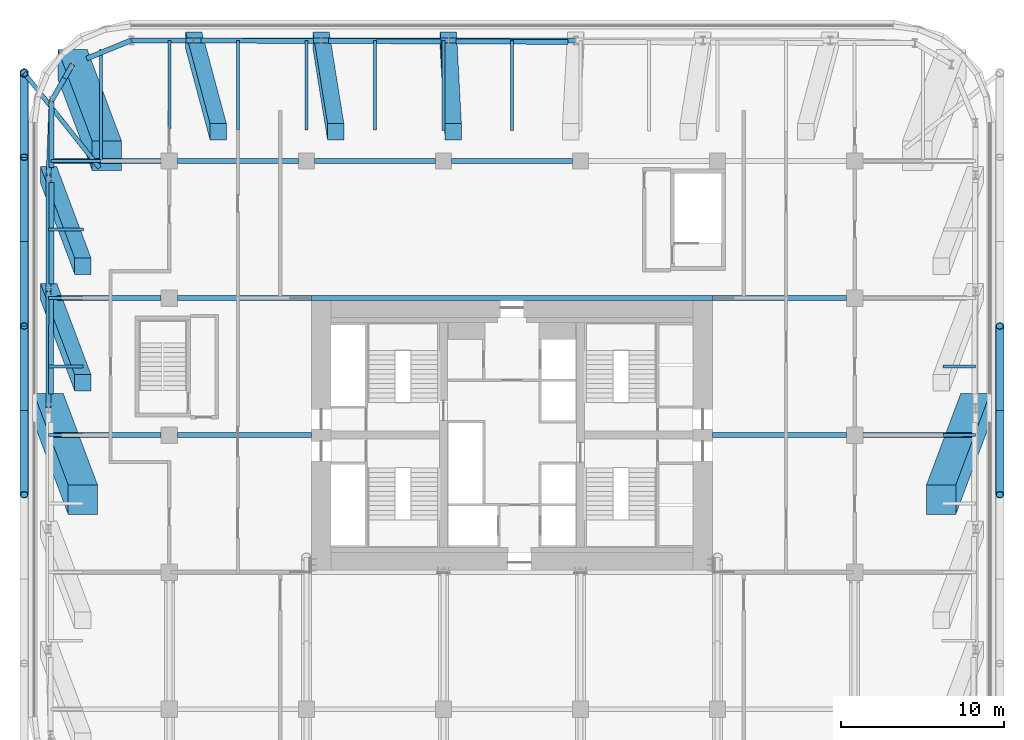
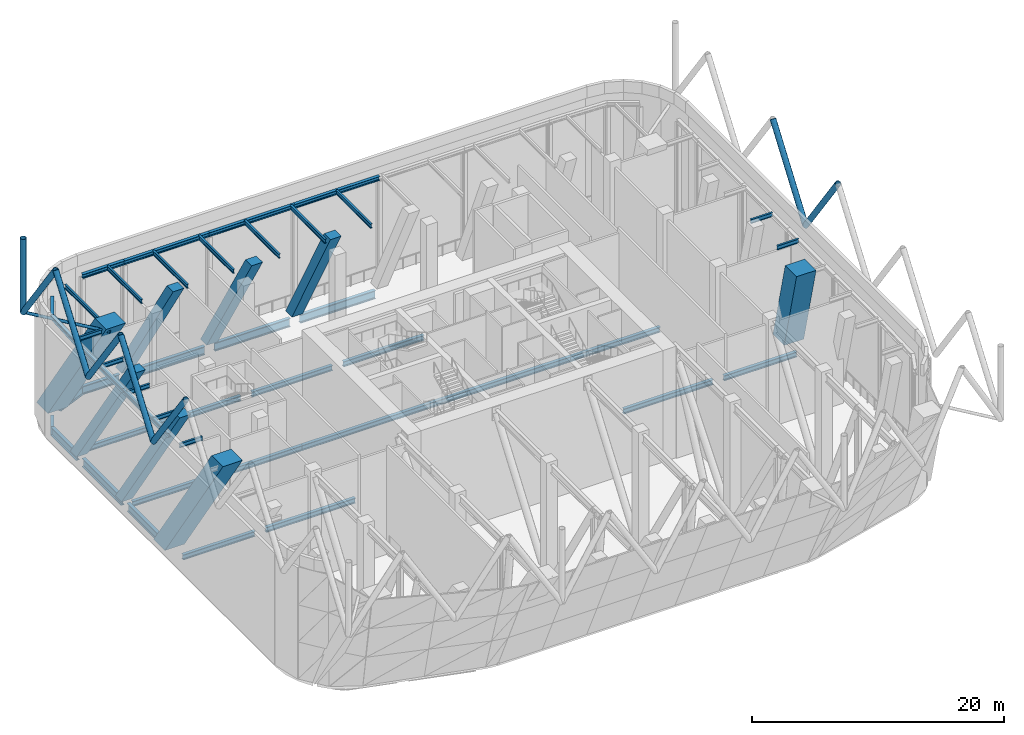
# One storey, part 6 of 19: 43 beams, 17 members.
"""IFC4 building model written with IfcOpenShell, lengths in metres."""

from ifc_helpers import new_model, si_unit, direction, frame, origin, origin_2d, place, context, subcontext, project, spatial, rectangle, hollow_circle, i_section, extrude, material, material_profile, profile_set, type_object, element, save


model = new_model("IFC4")

# Units and contexts
model_context = context("Model", 3, precision=1e-05, world=origin(), true_north=direction((0.0, 1.0)))
body_context = subcontext(model_context, "Body", "Model", "MODEL_VIEW")
ifc_project = project(units=[si_unit("LENGTHUNIT", "METRE"), si_unit("AREAUNIT", "SQUARE_METRE"), si_unit("VOLUMEUNIT", "CUBIC_METRE"), si_unit("PLANEANGLEUNIT", "RADIAN"), si_unit("MASSUNIT", "GRAM", prefix="KILO")], contexts=[model_context])

# Site, building, storey
site_placement = place(None, origin())
site = spatial("IfcSite", under=ifc_project, at=site_placement, CompositionType="ELEMENT")
building_placement = place(site_placement, origin())
building = spatial("IfcBuilding", under=site, at=building_placement, Name="Marenta Gate Hotel Tower", CompositionType="ELEMENT")
storey_placement = place(building_placement, frame((0.0, 0.0, 86.89990234375)))
storey = spatial("IfcBuildingStorey", under=building, at=storey_placement, Name="L20", CompositionType="ELEMENT", Elevation=86.89990234375)

# Members
ifc_material_1 = material(Name="Steel S355J2W", Category="steel")
ifc_material_profile_1 = material_profile(ifc_material_1, hollow_circle(Radius=0.25390625, WallThickness=0.02490234375, at=origin_2d()), Name="CHS 508x25")
ifc_profile_set_1 = profile_set([ifc_material_profile_1], Name="Steel S355J2W")
member_type_1 = type_object("IfcMemberType", Name="Diagrid corner post Z2 CHS 508x25", PredefinedType="POST", material=ifc_profile_set_1)
member_1_placement = place(storey_placement, frame((-29.89990234375, 30.60009765625, 10.340087890625), z_axis=(0.0, 0.0, 1.0), x_axis=(1.0, 0.0, 0.0)))
element("IfcMember", 1, at=member_1_placement, inside=storey, type_object=member_type_1, Name="L20-DR-6", PredefinedType="POST", context=body_context, shape_type="SweptSolid", body=[
    extrude(hollow_circle(Radius=0.25390625, WallThickness=0.02490234375, at=origin_2d()), origin(), (0.0, 0.0, 1.0), 7.199951171875),
])
ifc_material_2 = material(Name="Steel S355J2W", Category="steel")
ifc_material_profile_2 = material_profile(ifc_material_2, hollow_circle(Radius=0.25390625, WallThickness=0.0400390625, at=origin_2d()), Name="CHS 508x40")
ifc_profile_set_2 = profile_set([ifc_material_profile_2], Name="Steel S355J2W")
member_type_2 = type_object("IfcMemberType", Name="Diagrid diagonal Z2 CHS 508x40", PredefinedType="BRACE", material=ifc_profile_set_2)
member_2_placement = place(storey_placement, frame((29.89990234375, 9.919921875, 10.340087890625), z_axis=(0.0, 0.583279014058, 0.812271870595), x_axis=(-1.0, 0.0, 0.0)))
element("IfcMember", 2, at=member_2_placement, inside=storey, type_object=member_type_2, Name="L20-DG-4", PredefinedType="BRACE", context=body_context, shape_type="SweptSolid", body=[
    extrude(hollow_circle(Radius=0.25390625, WallThickness=0.0400390625, at=origin_2d()), origin(), (0.0, 0.0, 1.0), 8.864013671875),
])
for number, where, z_axis, x_axis, name in (
    (3, (29.89990234375, 9.919921875, 10.340087890625), (0.0, -0.583260841117, 0.812284919975), (1.0, 0.0, 0.0), "L20-DG-5"),
    (4, (-29.89990234375, 9.919921875, 10.340087890625), (0.0, -0.583260841117, 0.812284919975), (1.0, 0.0, 0.0), "L20-DG-30"),
):
    element("IfcMember", number, at=place(storey_placement, frame(where, z_axis=z_axis, x_axis=x_axis)), inside=storey, type_object=member_type_2, Name=name, PredefinedType="BRACE", context=body_context, shape_type="SweptSolid", body=[
        extrude(hollow_circle(Radius=0.25390625, WallThickness=0.0400390625, at=origin_2d()), origin(), (0.0, 0.0, 1.0), 8.86376953125),
    ])
member_3_placement = place(storey_placement, frame((-29.89990234375, 9.919921875, 10.340087890625), z_axis=(0.0, 0.583279014058, 0.812271870595), x_axis=(-1.0, 0.0, 0.0)))
element("IfcMember", 5, at=member_3_placement, inside=storey, type_object=member_type_2, Name="L20-DG-31", PredefinedType="BRACE", context=body_context, shape_type="SweptSolid", body=[
    extrude(hollow_circle(Radius=0.25390625, WallThickness=0.0400390625, at=origin_2d()), origin(), (0.0, 0.0, 1.0), 8.864013671875),
])
for number, where, z_axis, x_axis, name in (
    (6, (-29.89990234375, 20.260009765625, 10.340087890625), (0.0, -0.583260841117, 0.812284919975), (1.0, 0.0, 0.0), "L20-DG-32"),
    (7, (-29.89990234375, 20.260009765625, 10.340087890625), (0.0, 0.583260841117, 0.812284919975), (-1.0, 0.0, 0.0), "L20-DG-33"),
):
    element("IfcMember", number, at=place(storey_placement, frame(where, z_axis=z_axis, x_axis=x_axis)), inside=storey, type_object=member_type_2, Name=name, PredefinedType="BRACE", context=body_context, shape_type="SweptSolid", body=[
        extrude(hollow_circle(Radius=0.25390625, WallThickness=0.0400390625, at=origin_2d()), origin(), (0.0, 0.0, 1.0), 8.86376953125),
    ])
member_4_placement = place(storey_placement, frame((-29.89990234375, 30.60009765625, 10.340087890625), z_axis=(0.0, -0.583279014058, 0.812271870595), x_axis=(1.0, 0.0, 0.0)))
element("IfcMember", 8, at=member_4_placement, inside=storey, type_object=member_type_2, Name="L20-DG-34", PredefinedType="BRACE", context=body_context, shape_type="SweptSolid", body=[
    extrude(hollow_circle(Radius=0.25390625, WallThickness=0.0400390625, at=origin_2d()), origin(), (0.0, 0.0, 1.0), 8.864013671875),
])

# Beams
ifc_material_3 = material(Name="Steel S355", Category="steel")
ifc_material_profile_3 = material_profile(ifc_material_3, i_section(OverallWidth=0.302978515625, OverallDepth=0.81396484375, WebThickness=0.030029296875, FlangeThickness=0.052001953125, FilletRadius=0.030029296875, at=origin_2d()), Name="HEM 800")
ifc_profile_set_3 = profile_set([ifc_material_profile_3], Name="Steel S355")
beam_type_1 = type_object("IfcBeamType", Name="Edge beam HEM 800", PredefinedType="SPANDREL", material=ifc_profile_set_3)
beam_1_placement = place(storey_placement, frame((-28.246337890625, 10.909912109375, -0.706787109375), z_axis=(0.001423009483, 0.999998987521, 0.0), x_axis=(-0.999998987521, 0.001423009483, 0.0)))
element("IfcBeam", 9, at=beam_1_placement, inside=storey, type_object=beam_type_1, Name="L20-EB-8", PredefinedType="SPANDREL", context=body_context, shape_type="SweptSolid", body=[
    extrude(i_section(OverallWidth=0.302978515625, OverallDepth=0.81396484375, WebThickness=0.030029296875, FlangeThickness=0.052001953125, FilletRadius=0.030029296875, at=origin_2d()), origin(), (0.0, 0.0, 1.0), 5.833251953125),
])
beam_2_placement = place(storey_placement, frame((-28.23681640625, 17.6630859375, -0.706787109375), z_axis=(0.001370827476, 0.999999060416, 0.0), x_axis=(-0.999999060416, 0.001370827476, 0.0)))
element("IfcBeam", 10, at=beam_2_placement, inside=storey, type_object=beam_type_1, Name="L20-EB-9", PredefinedType="SPANDREL", context=body_context, shape_type="SweptSolid", body=[
    extrude(i_section(OverallWidth=0.302978515625, OverallDepth=0.81396484375, WebThickness=0.030029296875, FlangeThickness=0.052001953125, FilletRadius=0.030029296875, at=origin_2d()), origin(), (0.0, 0.0, 1.0), 6.2333984375),
])
beam_3_placement = place(storey_placement, frame((-28.22705078125, 24.81640625, -0.706787109375), z_axis=(0.001377821732, 0.999999050803, 0.0), x_axis=(-0.999999050803, 0.001377821732, 0.0)))
element("IfcBeam", 11, at=beam_3_placement, inside=storey, type_object=beam_type_1, Name="L20-EB-10", PredefinedType="SPANDREL", context=body_context, shape_type="SweptSolid", body=[
    extrude(i_section(OverallWidth=0.302978515625, OverallDepth=0.81396484375, WebThickness=0.030029296875, FlangeThickness=0.052001953125, FilletRadius=0.030029296875, at=origin_2d()), origin(), (0.0, 0.0, 1.0), 4.075439453125),
])
beam_4_placement = place(storey_placement, frame((-28.221435546875, 28.891845703125, -0.706787109375), z_axis=(0.500098681536, 0.865968422476, 0.0), x_axis=(-0.865968422476, 0.500098681536, 0.0)))
element("IfcBeam", 12, at=beam_4_placement, inside=storey, type_object=beam_type_1, Name="L20-EB-11", PredefinedType="SPANDREL", context=body_context, shape_type="SweptSolid", body=[
    extrude(i_section(OverallWidth=0.302978515625, OverallDepth=0.81396484375, WebThickness=0.030029296875, FlangeThickness=0.052001953125, FilletRadius=0.030029296875, at=origin_2d()), origin(), (0.0, 0.0, 1.0), 1.591552734375),
])
beam_5_placement = place(storey_placement, frame((-26.072509765625, 31.47998046875, -0.706787109375), z_axis=(0.925545641603, 0.378636059177, 0.0), x_axis=(-0.378636059177, 0.925545641603, 0.0)))
element("IfcBeam", 13, at=beam_5_placement, inside=storey, type_object=beam_type_1, Name="L20-EB-12", PredefinedType="SPANDREL", context=body_context, shape_type="SweptSolid", body=[
    extrude(i_section(OverallWidth=0.302978515625, OverallDepth=0.81396484375, WebThickness=0.030029296875, FlangeThickness=0.052001953125, FilletRadius=0.030029296875, at=origin_2d()), origin(), (0.0, 0.0, 1.0), 2.958251953125),
])
beam_6_placement = place(storey_placement, frame((-23.33447265625, 32.60009765625, -0.706787109375), z_axis=(0.999992894549, -0.00376972818, 0.0), x_axis=(0.00376972818, 0.999992894549, 0.0)))
element("IfcBeam", 14, at=beam_6_placement, inside=storey, type_object=beam_type_1, Name="L20-EB-13", PredefinedType="SPANDREL", context=body_context, shape_type="SweptSolid", body=[
    extrude(i_section(OverallWidth=0.302978515625, OverallDepth=0.81396484375, WebThickness=0.030029296875, FlangeThickness=0.052001953125, FilletRadius=0.030029296875, at=origin_2d()), origin(), (0.0, 0.0, 1.0), 3.36767578125),
])
for number, where, z_axis, x_axis, name in (
    (15, (-19.046875, 32.583984375, -0.706787109375), (0.999993064268, -0.003724435008, 0.0), (0.003724435008, 0.999993064268, 0.0), "L20-EB-14"),
    (16, (-11.244140625, 32.554931640625, -0.706787109375), (0.999993064268, -0.003724435008, 0.0), (0.003724435008, 0.999993064268, 0.0), "L20-EB-15"),
    (17, (-3.44140625, 32.52587890625, -0.706787109375), (0.999993195747, -0.003688964684, 0.0), (0.003688964684, 0.999993195747, 0.0), "L20-EB-16"),
):
    element("IfcBeam", number, at=place(storey_placement, frame(where, z_axis=z_axis, x_axis=x_axis)), inside=storey, type_object=beam_type_1, Name=name, PredefinedType="SPANDREL", context=body_context, shape_type="SweptSolid", body=[
        extrude(i_section(OverallWidth=0.302978515625, OverallDepth=0.81396484375, WebThickness=0.030029296875, FlangeThickness=0.052001953125, FilletRadius=0.030029296875, at=origin_2d()), origin(), (0.0, 0.0, 1.0), 6.8828125),
    ])

# Members
ifc_material_4 = material(Name="Concrete C80", Category="concrete")
ifc_material_profile_4 = material_profile(ifc_material_4, rectangle(XDim=1.0, YDim=1.0, at=origin_2d()), Name="1000 x 1000")
ifc_profile_set_4 = profile_set([ifc_material_profile_4], Name="Concrete C80")
member_type_3 = type_object("IfcMemberType", Name="Edge column raked 1000 x 1000 C80", PredefinedType="STRUT", material=ifc_profile_set_4)
member_5_placement = place(storey_placement, frame((-28.39990234375, 17.203125, 0.0), z_axis=(0.0, 0.0, 1.0), x_axis=(1.0, 0.0, 0.0)))
element("IfcMember", 18, at=member_5_placement, inside=storey, type_object=member_type_3, Name="L20-EC-W-NW-1", PredefinedType="STRUT", context=body_context, shape_type="SweptSolid", body=[
    extrude(rectangle(XDim=1.0, YDim=1.0, at=origin_2d()), origin(), (0.170092035922, -0.453598538302, 0.874824019656), 12.345458984375),
])
member_6_placement = place(storey_placement, frame((-28.39990234375, 24.3564453125, 0.0), z_axis=(0.0, 0.0, 1.0), x_axis=(1.0, 0.0, 0.0)))
element("IfcMember", 19, at=member_6_placement, inside=storey, type_object=member_type_3, Name="L20-EC-W-NW-2", PredefinedType="STRUT", context=body_context, shape_type="SweptSolid", body=[
    extrude(rectangle(XDim=1.0, YDim=1.0, at=origin_2d()), origin(), (0.170090510133, -0.453614245022, 0.874816172162), 12.345458984375),
])
member_7_placement = place(storey_placement, frame((-19.5068359375, 32.60009765625, 0.0), z_axis=(0.0, 0.0, 1.0), x_axis=(1.0, 0.0, 0.0)))
element("IfcMember", 20, at=member_7_placement, inside=storey, type_object=member_type_3, Name="L20-EC-NW-NE-1", PredefinedType="STRUT", context=body_context, shape_type="SweptSolid", body=[
    extrude(rectangle(XDim=1.0, YDim=1.0, at=origin_2d()), origin(), (0.122371677564, -0.456862229812, 0.881080061914), 12.2578125),
])
member_8_placement = place(storey_placement, frame((-11.7041015625, 32.60009765625, 0.0), z_axis=(0.0, 0.0, 1.0), x_axis=(1.0, 0.0, 0.0)))
element("IfcMember", 21, at=member_8_placement, inside=storey, type_object=member_type_3, Name="L20-EC-NW-NE-2", PredefinedType="STRUT", context=body_context, shape_type="SweptSolid", body=[
    extrude(rectangle(XDim=1.0, YDim=1.0, at=origin_2d()), origin(), (0.073769433098, -0.459067622462, 0.885333264227), 12.19873046875),
])
member_9_placement = place(storey_placement, frame((-3.9013671875, 32.60009765625, 0.0), z_axis=(0.0, 0.0, 1.0), x_axis=(1.0, 0.0, 0.0)))
element("IfcMember", 22, at=member_9_placement, inside=storey, type_object=member_type_3, Name="L20-EC-NW-NE-3", PredefinedType="STRUT", context=body_context, shape_type="SweptSolid", body=[
    extrude(rectangle(XDim=1.0, YDim=1.0, at=origin_2d()), origin(), (0.024656184723, -0.460181908204, 0.887482216113), 12.16943359375),
])
ifc_material_5 = material(Name="Steel S355J2W", Category="steel")
ifc_material_profile_5 = material_profile(ifc_material_5, hollow_circle(Radius=0.136474609375, WallThickness=0.012451171875, at=origin_2d()), Name="CHS 273x12.5")
ifc_profile_set_5 = profile_set([ifc_material_profile_5], Name="Steel S355J2W")
member_type_4 = type_object("IfcMemberType", Name="Floor tie CHS 273x12.5", PredefinedType="STRUT", material=ifc_profile_set_5)
member_10_placement = place(storey_placement, frame((-29.89990234375, 30.60009765625, 10.340087890625), z_axis=(0.622078892036, -0.782954565785, 0.0), x_axis=(0.782954565785, 0.622078892036, 0.0)))
element("IfcMember", 23, at=member_10_placement, inside=storey, type_object=member_type_4, Name="L20-DR-12", PredefinedType="STRUT", context=body_context, shape_type="SweptSolid", body=[
    extrude(hollow_circle(Radius=0.136474609375, WallThickness=0.012451171875, at=origin_2d()), origin(), (0.0, 0.0, 1.0), 7.429931640625),
])

# Beams
ifc_material_6 = material(Name="Steel S355", Category="steel")
ifc_material_profile_6 = material_profile(ifc_material_6, i_section(OverallWidth=0.300048828125, OverallDepth=0.5, WebThickness=0.014404296875, FlangeThickness=0.028076171875, FilletRadius=0.027099609375, at=origin_2d()), Name="HEB 500")
ifc_profile_set_6 = profile_set([ifc_material_profile_6], Name="Steel S355")
beam_type_2 = type_object("IfcBeamType", Name="Girder HEB 500", PredefinedType="BEAM", material=ifc_profile_set_6)
beam_7_placement = place(storey_placement, frame((-28.09814453125, 8.39990234375, -0.5498046875), z_axis=(1.0, 0.0, 0.0), x_axis=(0.0, 1.0, 0.0)))
element("IfcBeam", 24, at=beam_7_placement, inside=storey, type_object=beam_type_2, Name="L20-GD-15", PredefinedType="BEAM", context=body_context, shape_type="SweptSolid", body=[
    extrude(i_section(OverallWidth=0.300048828125, OverallDepth=0.5, WebThickness=0.014404296875, FlangeThickness=0.028076171875, FilletRadius=0.027099609375, at=origin_2d()), origin(), (0.0, 0.0, 1.0), 6.59814453125),
])
for number, where, z_axis, x_axis, name in (
    (25, (-20.5, 8.39990234375, -0.5498046875), (1.0, 0.0, 0.0), (0.0, 1.0, 0.0), "L20-GD-16"),
    (26, (12.300048828125, 8.39990234375, -0.5498046875), (1.0, 0.0, 0.0), (0.0, 1.0, 0.0), "L20-GD-17"),
):
    element("IfcBeam", number, at=place(storey_placement, frame(where, z_axis=z_axis, x_axis=x_axis)), inside=storey, type_object=beam_type_2, Name=name, PredefinedType="BEAM", context=body_context, shape_type="SweptSolid", body=[
        extrude(i_section(OverallWidth=0.300048828125, OverallDepth=0.5, WebThickness=0.014404296875, FlangeThickness=0.028076171875, FilletRadius=0.027099609375, at=origin_2d()), origin(), (0.0, 0.0, 1.0), 8.199951171875),
    ])
beam_8_placement = place(storey_placement, frame((21.5, 8.39990234375, -0.5498046875), z_axis=(1.0, 0.0, 0.0), x_axis=(0.0, 1.0, 0.0)))
element("IfcBeam", 27, at=beam_8_placement, inside=storey, type_object=beam_type_2, Name="L20-GD-18", PredefinedType="BEAM", context=body_context, shape_type="SweptSolid", body=[
    extrude(i_section(OverallWidth=0.300048828125, OverallDepth=0.5, WebThickness=0.014404296875, FlangeThickness=0.028076171875, FilletRadius=0.027099609375, at=origin_2d()), origin(), (0.0, 0.0, 1.0), 6.684814453125),
])
beam_9_placement = place(storey_placement, frame((-27.89990234375, 16.800048828125, -0.5498046875), z_axis=(1.0, 0.0, 0.0), x_axis=(0.0, 1.0, 0.0)))
element("IfcBeam", 28, at=beam_9_placement, inside=storey, type_object=beam_type_2, Name="L20-GD-19", PredefinedType="BEAM", context=body_context, shape_type="SweptSolid", body=[
    extrude(i_section(OverallWidth=0.300048828125, OverallDepth=0.5, WebThickness=0.014404296875, FlangeThickness=0.028076171875, FilletRadius=0.027099609375, at=origin_2d()), origin(), (0.0, 0.0, 1.0), 6.39990234375),
])
beam_10_placement = place(storey_placement, frame((-20.5, 16.800048828125, -0.5498046875), z_axis=(1.0, 0.0, 0.0), x_axis=(0.0, 1.0, 0.0)))
element("IfcBeam", 29, at=beam_10_placement, inside=storey, type_object=beam_type_2, Name="L20-GD-20", PredefinedType="BEAM", context=body_context, shape_type="SweptSolid", body=[
    extrude(i_section(OverallWidth=0.300048828125, OverallDepth=0.5, WebThickness=0.014404296875, FlangeThickness=0.028076171875, FilletRadius=0.027099609375, at=origin_2d()), origin(), (0.0, 0.0, 1.0), 8.199951171875),
])
beam_11_placement = place(storey_placement, frame((-12.300048828125, 16.800048828125, -0.5498046875), z_axis=(1.0, 0.0, 0.0), x_axis=(0.0, 1.0, 0.0)))
element("IfcBeam", 30, at=beam_11_placement, inside=storey, type_object=beam_type_2, Name="L20-GD-21", PredefinedType="BEAM", context=body_context, shape_type="SweptSolid", body=[
    extrude(i_section(OverallWidth=0.300048828125, OverallDepth=0.5, WebThickness=0.014404296875, FlangeThickness=0.028076171875, FilletRadius=0.027099609375, at=origin_2d()), origin(), (0.0, 0.0, 1.0), 24.60009765625),
])
beam_12_placement = place(storey_placement, frame((12.300048828125, 16.800048828125, -0.5498046875), z_axis=(1.0, 0.0, 0.0), x_axis=(0.0, 1.0, 0.0)))
element("IfcBeam", 31, at=beam_12_placement, inside=storey, type_object=beam_type_2, Name="L20-GD-22", PredefinedType="BEAM", context=body_context, shape_type="SweptSolid", body=[
    extrude(i_section(OverallWidth=0.300048828125, OverallDepth=0.5, WebThickness=0.014404296875, FlangeThickness=0.028076171875, FilletRadius=0.027099609375, at=origin_2d()), origin(), (0.0, 0.0, 1.0), 8.199951171875),
])
beam_13_placement = place(storey_placement, frame((-28.074951171875, 25.199951171875, -0.5498046875), z_axis=(1.0, 0.0, 0.0), x_axis=(0.0, 1.0, 0.0)))
element("IfcBeam", 32, at=beam_13_placement, inside=storey, type_object=beam_type_2, Name="L20-GD-24", PredefinedType="BEAM", context=body_context, shape_type="SweptSolid", body=[
    extrude(i_section(OverallWidth=0.300048828125, OverallDepth=0.5, WebThickness=0.014404296875, FlangeThickness=0.028076171875, FilletRadius=0.027099609375, at=origin_2d()), origin(), (0.0, 0.0, 1.0), 6.574951171875),
])
beam_14_placement = place(storey_placement, frame((-20.5, 25.199951171875, -0.5498046875), z_axis=(1.0, 0.0, 0.0), x_axis=(0.0, 1.0, 0.0)))
element("IfcBeam", 33, at=beam_14_placement, inside=storey, type_object=beam_type_2, Name="L20-GD-25", PredefinedType="BEAM", context=body_context, shape_type="SweptSolid", body=[
    extrude(i_section(OverallWidth=0.300048828125, OverallDepth=0.5, WebThickness=0.014404296875, FlangeThickness=0.028076171875, FilletRadius=0.027099609375, at=origin_2d()), origin(), (0.0, 0.0, 1.0), 7.39990234375),
])
beam_15_placement = place(storey_placement, frame((-12.10009765625, 25.199951171875, -0.5498046875), z_axis=(1.0, 0.0, 0.0), x_axis=(0.0, 1.0, 0.0)))
element("IfcBeam", 34, at=beam_15_placement, inside=storey, type_object=beam_type_2, Name="L20-GD-26", PredefinedType="BEAM", context=body_context, shape_type="SweptSolid", body=[
    extrude(i_section(OverallWidth=0.300048828125, OverallDepth=0.5, WebThickness=0.014404296875, FlangeThickness=0.028076171875, FilletRadius=0.027099609375, at=origin_2d()), origin(), (0.0, 0.0, 1.0), 7.400146484375),
])
beam_16_placement = place(storey_placement, frame((-3.699951171875, 25.199951171875, -0.5498046875), z_axis=(1.0, 0.0, 0.0), x_axis=(0.0, 1.0, 0.0)))
element("IfcBeam", 35, at=beam_16_placement, inside=storey, type_object=beam_type_2, Name="L20-GD-27", PredefinedType="BEAM", context=body_context, shape_type="SweptSolid", body=[
    extrude(i_section(OverallWidth=0.300048828125, OverallDepth=0.5, WebThickness=0.014404296875, FlangeThickness=0.028076171875, FilletRadius=0.027099609375, at=origin_2d()), origin(), (0.0, 0.0, 1.0), 7.39990234375),
])

# Members
ifc_material_7 = material(Name="Concrete C80", Category="concrete")
ifc_material_profile_7 = material_profile(ifc_material_7, rectangle(XDim=1.800048828125, YDim=1.800048828125, at=origin_2d()), Name="1800 x 1800")
ifc_profile_set_7 = profile_set([ifc_material_profile_7], Name="Concrete C80")
member_type_5 = type_object("IfcMemberType", Name="Mega column raked 1800 x 1800 C80", PredefinedType="STRUT", material=ifc_profile_set_7)
member_11_placement = place(storey_placement, frame((28.39990234375, 10.050048828125, 0.0), z_axis=(0.0, 0.0, 1.0), x_axis=(1.0, 0.0, 0.0)))
element("IfcMember", 36, at=member_11_placement, inside=storey, type_object=member_type_5, Name="L20-MC-E", PredefinedType="STRUT", context=body_context, shape_type="SweptSolid", body=[
    extrude(rectangle(XDim=1.800048828125, YDim=1.800048828125, at=origin_2d()), origin(), (-0.170090510133, -0.453614245022, 0.874816172162), 12.345458984375),
])
member_12_placement = place(storey_placement, frame((-26.935546875, 31.135498046875, 0.0), z_axis=(0.0, 0.0, 1.0), x_axis=(1.0, 0.0, 0.0)))
element("IfcMember", 37, at=member_12_placement, inside=storey, type_object=member_type_5, Name="L20-MC-NW", PredefinedType="STRUT", context=body_context, shape_type="SweptSolid", body=[
    extrude(rectangle(XDim=1.800048828125, YDim=1.800048828125, at=origin_2d()), origin(), (0.170109713578, -0.45361271914, 0.874813229427), 12.345458984375),
])
member_13_placement = place(storey_placement, frame((-28.39990234375, 10.050048828125, 0.0), z_axis=(0.0, 0.0, 1.0), x_axis=(1.0, 0.0, 0.0)))
element("IfcMember", 38, at=member_13_placement, inside=storey, type_object=member_type_5, Name="L20-MC-W", PredefinedType="STRUT", context=body_context, shape_type="SweptSolid", body=[
    extrude(rectangle(XDim=1.800048828125, YDim=1.800048828125, at=origin_2d()), origin(), (0.170090510133, -0.453614245022, 0.874816172162), 12.345458984375),
])

# Beams
ifc_material_8 = material(Name="Steel S355", Category="steel")
ifc_material_profile_8 = material_profile(ifc_material_8, i_section(OverallWidth=0.179931640625, OverallDepth=0.39990234375, WebThickness=0.008544921875, FlangeThickness=0.013427734375, FilletRadius=0.02099609375, at=origin_2d()), Name="IPE 400")
ifc_profile_set_8 = profile_set([ifc_material_profile_8], Name="Steel S355")
beam_type_3 = type_object("IfcBeamType", Name="Terrace beam IPE 400", PredefinedType="JOIST", material=ifc_profile_set_8)
beam_17_placement = place(storey_placement, frame((-25.199951171875, 25.189453125, 10.340087890625), z_axis=(0.0, 1.0, 0.0), x_axis=(-1.0, 0.0, 0.0)))
element("IfcBeam", 39, at=beam_17_placement, inside=storey, type_object=beam_type_3, Name="L20-TB-1", PredefinedType="JOIST", context=body_context, shape_type="SweptSolid", body=[
    extrude(i_section(OverallWidth=0.179931640625, OverallDepth=0.39990234375, WebThickness=0.008544921875, FlangeThickness=0.013427734375, FilletRadius=0.02099609375, at=origin_2d()), origin(), (0.0, 0.0, 1.0), 6.85791015625),
])
beam_18_placement = place(storey_placement, frame((-21.0, 27.150146484375, 10.340087890625), z_axis=(0.0, 1.0, 0.0), x_axis=(-1.0, 0.0, 0.0)))
element("IfcBeam", 40, at=beam_18_placement, inside=storey, type_object=beam_type_3, Name="L20-TB-2", PredefinedType="JOIST", context=body_context, shape_type="SweptSolid", body=[
    extrude(i_section(OverallWidth=0.179931640625, OverallDepth=0.39990234375, WebThickness=0.008544921875, FlangeThickness=0.013427734375, FilletRadius=0.02099609375, at=origin_2d()), origin(), (0.0, 0.0, 1.0), 5.449951171875),
])
beam_19_placement = place(storey_placement, frame((-16.800048828125, 27.1328125, 10.340087890625), z_axis=(0.0, 1.0, 0.0), x_axis=(-1.0, 0.0, 0.0)))
element("IfcBeam", 41, at=beam_19_placement, inside=storey, type_object=beam_type_3, Name="L20-TB-3", PredefinedType="JOIST", context=body_context, shape_type="SweptSolid", body=[
    extrude(i_section(OverallWidth=0.179931640625, OverallDepth=0.39990234375, WebThickness=0.008544921875, FlangeThickness=0.013427734375, FilletRadius=0.02099609375, at=origin_2d()), origin(), (0.0, 0.0, 1.0), 5.46728515625),
])
beam_20_placement = place(storey_placement, frame((-12.60009765625, 27.11572265625, 10.340087890625), z_axis=(0.0, 1.0, 0.0), x_axis=(-1.0, 0.0, 0.0)))
element("IfcBeam", 42, at=beam_20_placement, inside=storey, type_object=beam_type_3, Name="L20-TB-4", PredefinedType="JOIST", context=body_context, shape_type="SweptSolid", body=[
    extrude(i_section(OverallWidth=0.179931640625, OverallDepth=0.39990234375, WebThickness=0.008544921875, FlangeThickness=0.013427734375, FilletRadius=0.02099609375, at=origin_2d()), origin(), (0.0, 0.0, 1.0), 5.484375),
])
beam_21_placement = place(storey_placement, frame((-8.39990234375, 27.0986328125, 10.340087890625), z_axis=(0.0, 1.0, 0.0), x_axis=(-1.0, 0.0, 0.0)))
element("IfcBeam", 43, at=beam_21_placement, inside=storey, type_object=beam_type_3, Name="L20-TB-5", PredefinedType="JOIST", context=body_context, shape_type="SweptSolid", body=[
    extrude(i_section(OverallWidth=0.179931640625, OverallDepth=0.39990234375, WebThickness=0.008544921875, FlangeThickness=0.013427734375, FilletRadius=0.02099609375, at=origin_2d()), origin(), (0.0, 0.0, 1.0), 5.50146484375),
])
beam_22_placement = place(storey_placement, frame((-4.199951171875, 27.08154296875, 10.340087890625), z_axis=(0.0, 1.0, 0.0), x_axis=(-1.0, 0.0, 0.0)))
element("IfcBeam", 44, at=beam_22_placement, inside=storey, type_object=beam_type_3, Name="L20-TB-6", PredefinedType="JOIST", context=body_context, shape_type="SweptSolid", body=[
    extrude(i_section(OverallWidth=0.179931640625, OverallDepth=0.39990234375, WebThickness=0.008544921875, FlangeThickness=0.013427734375, FilletRadius=0.02099609375, at=origin_2d()), origin(), (0.0, 0.0, 1.0), 5.5185546875),
])
beam_23_placement = place(storey_placement, frame((0.0, 27.064453125, 10.340087890625), z_axis=(0.0, 1.0, 0.0), x_axis=(-1.0, 0.0, 0.0)))
element("IfcBeam", 45, at=beam_23_placement, inside=storey, type_object=beam_type_3, Name="L20-TB-7", PredefinedType="JOIST", context=body_context, shape_type="SweptSolid", body=[
    extrude(i_section(OverallWidth=0.179931640625, OverallDepth=0.39990234375, WebThickness=0.008544921875, FlangeThickness=0.013427734375, FilletRadius=0.02099609375, at=origin_2d()), origin(), (0.0, 0.0, 1.0), 5.53564453125),
])
beam_24_placement = place(storey_placement, frame((26.406005859375, 8.39990234375, 10.340087890625), z_axis=(1.0, 0.0, 0.0), x_axis=(0.0, 1.0, 0.0)))
element("IfcBeam", 46, at=beam_24_placement, inside=storey, type_object=beam_type_3, Name="L20-TB-18", PredefinedType="JOIST", context=body_context, shape_type="SweptSolid", body=[
    extrude(i_section(OverallWidth=0.179931640625, OverallDepth=0.39990234375, WebThickness=0.008544921875, FlangeThickness=0.013427734375, FilletRadius=0.02099609375, at=origin_2d()), origin(), (0.0, 0.0, 1.0), 1.993896484375),
])
beam_25_placement = place(storey_placement, frame((26.419921875, 12.60009765625, 10.340087890625), z_axis=(1.0, 0.0, 0.0), x_axis=(0.0, 1.0, 0.0)))
element("IfcBeam", 47, at=beam_25_placement, inside=storey, type_object=beam_type_3, Name="L20-TB-19", PredefinedType="JOIST", context=body_context, shape_type="SweptSolid", body=[
    extrude(i_section(OverallWidth=0.179931640625, OverallDepth=0.39990234375, WebThickness=0.008544921875, FlangeThickness=0.013427734375, FilletRadius=0.02099609375, at=origin_2d()), origin(), (0.0, 0.0, 1.0), 1.97998046875),
])
beam_26_placement = place(storey_placement, frame((-28.39990234375, 8.39990234375, 10.340087890625), z_axis=(1.0, 0.0, 0.0), x_axis=(0.0, 1.0, 0.0)))
element("IfcBeam", 48, at=beam_26_placement, inside=storey, type_object=beam_type_3, Name="L20-TB-27", PredefinedType="JOIST", context=body_context, shape_type="SweptSolid", body=[
    extrude(i_section(OverallWidth=0.179931640625, OverallDepth=0.39990234375, WebThickness=0.008544921875, FlangeThickness=0.013427734375, FilletRadius=0.02099609375, at=origin_2d()), origin(), (0.0, 0.0, 1.0), 2.10693359375),
])
beam_27_placement = place(storey_placement, frame((-28.39990234375, 12.60009765625, 10.340087890625), z_axis=(1.0, 0.0, 0.0), x_axis=(0.0, 1.0, 0.0)))
element("IfcBeam", 49, at=beam_27_placement, inside=storey, type_object=beam_type_3, Name="L20-TB-28", PredefinedType="JOIST", context=body_context, shape_type="SweptSolid", body=[
    extrude(i_section(OverallWidth=0.179931640625, OverallDepth=0.39990234375, WebThickness=0.008544921875, FlangeThickness=0.013427734375, FilletRadius=0.02099609375, at=origin_2d()), origin(), (0.0, 0.0, 1.0), 2.11279296875),
])
beam_28_placement = place(storey_placement, frame((-28.39990234375, 16.800048828125, 10.340087890625), z_axis=(1.0, 0.0, 0.0), x_axis=(0.0, 1.0, 0.0)))
element("IfcBeam", 50, at=beam_28_placement, inside=storey, type_object=beam_type_3, Name="L20-TB-29", PredefinedType="JOIST", context=body_context, shape_type="SweptSolid", body=[
    extrude(i_section(OverallWidth=0.179931640625, OverallDepth=0.39990234375, WebThickness=0.008544921875, FlangeThickness=0.013427734375, FilletRadius=0.02099609375, at=origin_2d()), origin(), (0.0, 0.0, 1.0), 2.11865234375),
])
beam_29_placement = place(storey_placement, frame((-28.39990234375, 21.0, 10.340087890625), z_axis=(1.0, 0.0, 0.0), x_axis=(0.0, 1.0, 0.0)))
element("IfcBeam", 51, at=beam_29_placement, inside=storey, type_object=beam_type_3, Name="L20-TB-30", PredefinedType="JOIST", context=body_context, shape_type="SweptSolid", body=[
    extrude(i_section(OverallWidth=0.179931640625, OverallDepth=0.39990234375, WebThickness=0.008544921875, FlangeThickness=0.013427734375, FilletRadius=0.02099609375, at=origin_2d()), origin(), (0.0, 0.0, 1.0), 2.12451171875),
])
beam_30_placement = place(storey_placement, frame((-28.2490234375, 25.199951171875, 10.340087890625), z_axis=(1.0, 0.0, 0.0), x_axis=(0.0, 1.0, 0.0)))
element("IfcBeam", 52, at=beam_30_placement, inside=storey, type_object=beam_type_3, Name="L20-TB-31", PredefinedType="JOIST", context=body_context, shape_type="SweptSolid", body=[
    extrude(i_section(OverallWidth=0.179931640625, OverallDepth=0.39990234375, WebThickness=0.008544921875, FlangeThickness=0.013427734375, FilletRadius=0.02099609375, at=origin_2d()), origin(), (0.0, 0.0, 1.0), 3.049072265625),
])
ifc_material_9 = material(Name="Steel S355", Category="steel")
ifc_material_profile_9 = material_profile(ifc_material_9, i_section(OverallWidth=0.300048828125, OverallDepth=0.39990234375, WebThickness=0.013427734375, FlangeThickness=0.02392578125, FilletRadius=0.027099609375, at=origin_2d()), Name="HEB 400")
ifc_profile_set_9 = profile_set([ifc_material_profile_9], Name="Steel S355")
beam_type_4 = type_object("IfcBeamType", Name="Terrace edge beam HEB 400", PredefinedType="SPANDREL", material=ifc_profile_set_9)
beam_31_placement = place(storey_placement, frame((-28.39990234375, 10.050048828125, 10.340087890625), z_axis=(0.0, 1.0, 0.0), x_axis=(-1.0, 0.0, 0.0)))
element("IfcBeam", 53, at=beam_31_placement, inside=storey, type_object=beam_type_4, Name="L20-TE-5", PredefinedType="SPANDREL", context=body_context, shape_type="SweptSolid", body=[
    extrude(i_section(OverallWidth=0.300048828125, OverallDepth=0.39990234375, WebThickness=0.013427734375, FlangeThickness=0.02392578125, FilletRadius=0.027099609375, at=origin_2d()), origin(), (0.0, 0.0, 1.0), 7.153076171875),
])
beam_32_placement = place(storey_placement, frame((-28.39990234375, 17.203125, 10.340087890625), z_axis=(0.0, 1.0, 0.0), x_axis=(-1.0, 0.0, 0.0)))
element("IfcBeam", 54, at=beam_32_placement, inside=storey, type_object=beam_type_4, Name="L20-TE-6", PredefinedType="SPANDREL", context=body_context, shape_type="SweptSolid", body=[
    extrude(i_section(OverallWidth=0.300048828125, OverallDepth=0.39990234375, WebThickness=0.013427734375, FlangeThickness=0.02392578125, FilletRadius=0.027099609375, at=origin_2d()), origin(), (0.0, 0.0, 1.0), 7.1533203125),
])
beam_33_placement = place(storey_placement, frame((-28.39990234375, 24.3564453125, 10.340087890625), z_axis=(0.039319304281, 0.999226697157, 0.0), x_axis=(-0.999226697157, 0.039319304281, 0.0)))
element("IfcBeam", 55, at=beam_33_placement, inside=storey, type_object=beam_type_4, Name="L20-TE-7", PredefinedType="SPANDREL", context=body_context, shape_type="SweptSolid", body=[
    extrude(i_section(OverallWidth=0.300048828125, OverallDepth=0.39990234375, WebThickness=0.013427734375, FlangeThickness=0.02392578125, FilletRadius=0.027099609375, at=origin_2d()), origin(), (0.0, 0.0, 1.0), 4.538818359375),
])
beam_34_placement = place(storey_placement, frame((-28.221435546875, 28.891845703125, 10.340087890625), z_axis=(0.500041441558, 0.866001476168, 0.0), x_axis=(-0.866001476168, 0.500041441558, 0.0)))
element("IfcBeam", 56, at=beam_34_placement, inside=storey, type_object=beam_type_4, Name="L20-TE-8", PredefinedType="SPANDREL", context=body_context, shape_type="SweptSolid", body=[
    extrude(i_section(OverallWidth=0.300048828125, OverallDepth=0.39990234375, WebThickness=0.013427734375, FlangeThickness=0.02392578125, FilletRadius=0.027099609375, at=origin_2d()), origin(), (0.0, 0.0, 1.0), 2.583740234375),
])
beam_35_placement = place(storey_placement, frame((-23.33447265625, 32.60009765625, 10.340087890625), z_axis=(1.0, 0.0, 0.0), x_axis=(0.0, 1.0, 0.0)))
element("IfcBeam", 57, at=beam_35_placement, inside=storey, type_object=beam_type_4, Name="L20-TE-9", PredefinedType="SPANDREL", context=body_context, shape_type="SweptSolid", body=[
    extrude(i_section(OverallWidth=0.300048828125, OverallDepth=0.39990234375, WebThickness=0.013427734375, FlangeThickness=0.02392578125, FilletRadius=0.027099609375, at=origin_2d()), origin(), (0.0, 0.0, 1.0), 3.82763671875),
])
for number, where, z_axis, x_axis, name in (
    (58, (-19.5068359375, 32.60009765625, 10.340087890625), (1.0, 0.0, 0.0), (0.0, 1.0, 0.0), "L20-TE-10"),
    (59, (-11.7041015625, 32.60009765625, 10.340087890625), (1.0, 0.0, 0.0), (0.0, 1.0, 0.0), "L20-TE-11"),
    (60, (-3.9013671875, 32.60009765625, 10.340087890625), (1.0, 0.0, 0.0), (0.0, 1.0, 0.0), "L20-TE-12"),
):
    element("IfcBeam", number, at=place(storey_placement, frame(where, z_axis=z_axis, x_axis=x_axis)), inside=storey, type_object=beam_type_4, Name=name, PredefinedType="SPANDREL", context=body_context, shape_type="SweptSolid", body=[
        extrude(i_section(OverallWidth=0.300048828125, OverallDepth=0.39990234375, WebThickness=0.013427734375, FlangeThickness=0.02392578125, FilletRadius=0.027099609375, at=origin_2d()), origin(), (0.0, 0.0, 1.0), 7.802734375),
    ])

save(model, "model.ifc")
